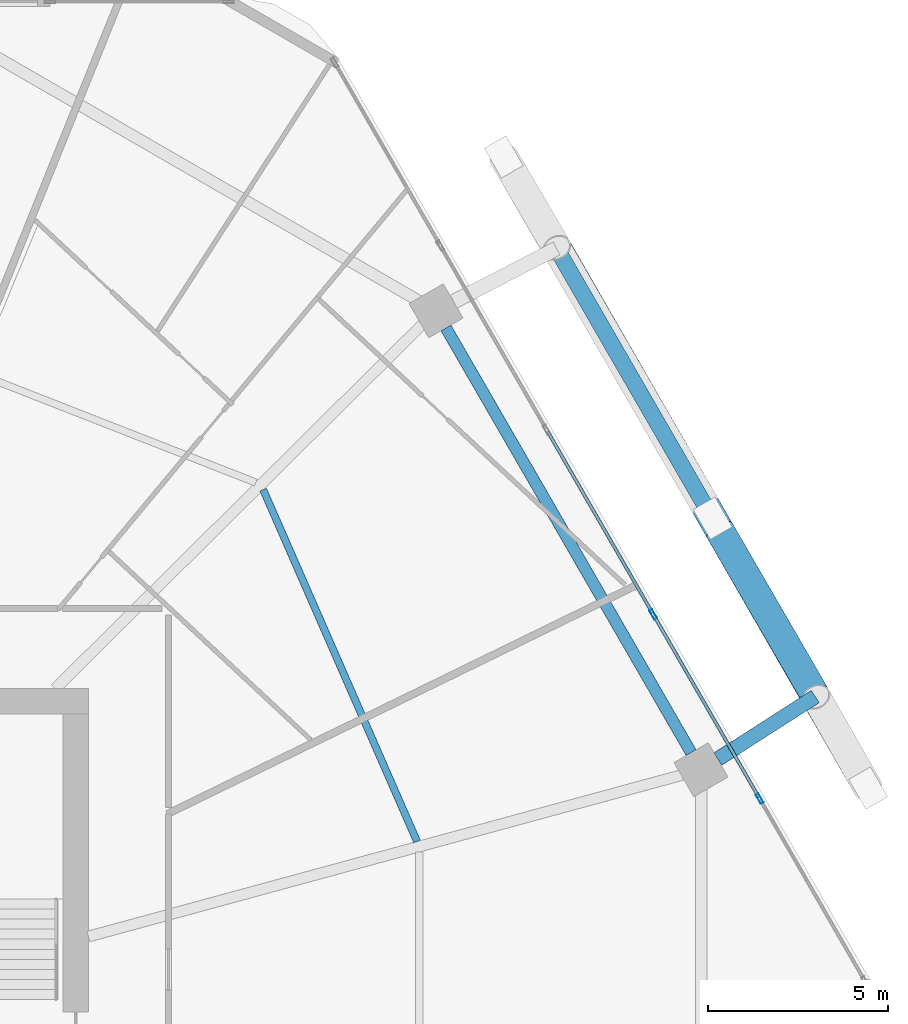
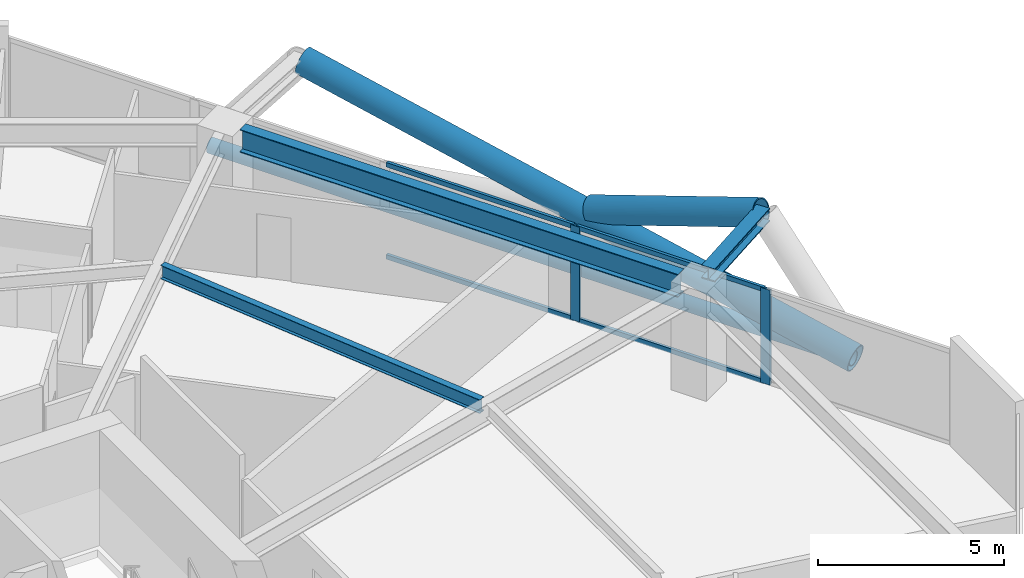
# One storey, part 21 of 35: 9 members, 3 beams, 1 element without a shape of its own.
"""IFC4 building model written with IfcOpenShell, lengths in metres."""

from ifc_helpers import new_model, si_unit, direction, frame, origin, origin_2d, place, context, subcontext, project, spatial, hollow_rectangle, hollow_circle, i_section, extrude, material, material_profile, profile_set, type_object, element, aggregate, save


model = new_model("IFC4")

# Units and contexts
model_context = context("Model", 3, precision=1e-05, world=origin(), true_north=direction((0.0, 1.0)))
body_context = subcontext(model_context, "Body", "Model", "MODEL_VIEW")
ifc_project = project(units=[si_unit("LENGTHUNIT", "METRE"), si_unit("AREAUNIT", "SQUARE_METRE"), si_unit("VOLUMEUNIT", "CUBIC_METRE"), si_unit("PLANEANGLEUNIT", "RADIAN"), si_unit("MASSUNIT", "GRAM", prefix="KILO")], contexts=[model_context])

# Site, building, storey
site_placement = place(None, origin())
site = spatial("IfcSite", under=ifc_project, at=site_placement, CompositionType="ELEMENT")
building_placement = place(site_placement, origin())
building = spatial("IfcBuilding", under=site, at=building_placement, Name="Zuhravey Tower", CompositionType="ELEMENT")
storey_placement = place(building_placement, frame((0.0, 0.0, 138.0)))
storey = spatial("IfcBuildingStorey", under=building, at=storey_placement, Name="L34", CompositionType="ELEMENT", Elevation=138.0)

# Curtain wall, members
ifc_material_1 = material(Name="Thermally broken anodised aluminium", Category="aluminium")
curtain_wall_type = type_object("IfcCurtainWallType", Name="Zone 1-2 Residential Curtain Wall CW3", PredefinedType="NOTDEFINED", material=ifc_material_1)
curtain_wall_placement = place(storey_placement, origin())
curtain_wall = element("IfcCurtainWall", 1, at=curtain_wall_placement, inside=storey, type_object=curtain_wall_type, Name="L34 CW3 CW-L34-F1-1", PredefinedType="NOTDEFINED")
ifc_material_2 = material(Name="Anodised aluminium", Category="aluminium")
ifc_material_profile_1 = material_profile(ifc_material_2, hollow_rectangle(XDim=0.090087890625, YDim=0.284912109375, WallThickness=0.0048828125, at=origin_2d()), Name="ALU-RHS-90x285x5")
ifc_profile_set_1 = profile_set([ifc_material_profile_1], Name="Anodised aluminium")
member_type_1 = type_object("IfcMemberType", Name="Curtain-Wall Mullion 90x180", PredefinedType="MULLION", material=ifc_profile_set_1)
member_1_placement = place(storey_placement, frame((62.55859375, 43.916015625, 0.0), z_axis=(0.0, 0.0, 1.0), x_axis=(0.86602552265, 0.499999794119, 0.0)))
member_1 = element("IfcMember", 2, at=member_1_placement, type_object=member_type_1, Name="CW3 mullion 4", PredefinedType="MULLION", context=body_context, shape_type="SweptSolid", body=[
    extrude(hollow_rectangle(XDim=0.090087890625, YDim=0.284912109375, WallThickness=0.0048828125, at=origin_2d()), origin(), (0.0, 0.0, 1.0), 3.1220703125),
])
member_2_placement = place(storey_placement, frame((65.5185546875, 38.789306640625, 0.0), z_axis=(0.0, 0.0, 1.0), x_axis=(0.86602552265, 0.499999794119, 0.0)))
member_2 = element("IfcMember", 3, at=member_2_placement, type_object=member_type_1, Name="CW3 mullion 5", PredefinedType="MULLION", context=body_context, shape_type="SweptSolid", body=[
    extrude(hollow_rectangle(XDim=0.090087890625, YDim=0.284912109375, WallThickness=0.0048828125, at=origin_2d()), origin(), (0.0, 0.0, 1.0), 3.1220703125),
])
ifc_material_profile_2 = material_profile(ifc_material_2, hollow_rectangle(XDim=0.090087890625, YDim=0.14990234375, WallThickness=0.0048828125, at=origin_2d()), Name="ALU-RHS-90x150x5")
ifc_profile_set_2 = profile_set([ifc_material_profile_2], Name="Anodised aluminium")
member_type_2 = type_object("IfcMemberType", Name="Curtain-Wall Transom 90x150", PredefinedType="USERDEFINED", material=ifc_profile_set_2)
member_3_placement = place(storey_placement, frame((59.621337890625, 49.003662109375, 0.044921875), z_axis=(0.499981042766, -0.866036348472, 0.0), x_axis=(0.866036348472, 0.499981042766, 0.0)))
member_3 = element("IfcMember", 4, at=member_3_placement, type_object=member_type_2, Name="CW3 transom 3.1", ObjectType="TRANSOM", PredefinedType="USERDEFINED", context=body_context, shape_type="SweptSolid", body=[
    extrude(hollow_rectangle(XDim=0.090087890625, YDim=0.14990234375, WallThickness=0.0048828125, at=origin_2d()), origin(), (0.0, 0.0, 1.0), 5.829833984375),
])
member_4_placement = place(storey_placement, frame((59.621337890625, 49.003662109375, 3.076904296875), z_axis=(0.499981042766, -0.866036348472, 0.0), x_axis=(0.866036348472, 0.499981042766, 0.0)))
member_4 = element("IfcMember", 5, at=member_4_placement, type_object=member_type_2, Name="CW3 transom 3.2", ObjectType="TRANSOM", PredefinedType="USERDEFINED", context=body_context, shape_type="SweptSolid", body=[
    extrude(hollow_rectangle(XDim=0.090087890625, YDim=0.14990234375, WallThickness=0.0048828125, at=origin_2d()), origin(), (0.0, 0.0, 1.0), 5.829833984375),
])
member_5_placement = place(storey_placement, frame((62.581298828125, 43.876953125, 0.044921875), z_axis=(0.499981042766, -0.866036348472, 0.0), x_axis=(0.866036348472, 0.499981042766, 0.0)))
member_5 = element("IfcMember", 6, at=member_5_placement, type_object=member_type_2, Name="CW3 transom 4.1", ObjectType="TRANSOM", PredefinedType="USERDEFINED", context=body_context, shape_type="SweptSolid", body=[
    extrude(hollow_rectangle(XDim=0.090087890625, YDim=0.14990234375, WallThickness=0.0048828125, at=origin_2d()), origin(), (0.0, 0.0, 1.0), 5.829833984375),
])
member_6_placement = place(storey_placement, frame((62.581298828125, 43.876953125, 3.076904296875), z_axis=(0.499981042766, -0.866036348472, 0.0), x_axis=(0.866036348472, 0.499981042766, 0.0)))
member_6 = element("IfcMember", 7, at=member_6_placement, type_object=member_type_2, Name="CW3 transom 4.2", ObjectType="TRANSOM", PredefinedType="USERDEFINED", context=body_context, shape_type="SweptSolid", body=[
    extrude(hollow_rectangle(XDim=0.090087890625, YDim=0.14990234375, WallThickness=0.0048828125, at=origin_2d()), origin(), (0.0, 0.0, 1.0), 5.829833984375),
])
aggregate(curtain_wall, [member_1, member_2, member_3, member_4, member_5, member_6])

# Beam
ifc_material_3 = material(Name="Steel SM460", Category="steel")
ifc_material_profile_3 = material_profile(ifc_material_3, i_section(OverallWidth=0.406982421875, OverallDepth=0.427978515625, WebThickness=0.02001953125, FlangeThickness=0.034912109375, at=origin_2d()), Name="H-428x407x20x35")
ifc_profile_set_3 = profile_set([ifc_material_profile_3], Name="Steel SM460")
beam_type_1 = type_object("IfcBeamType", Name="Exoskeleton Node Tie Beam H428x407", PredefinedType="BEAM", material=ifc_profile_set_3)
beam_1_placement = place(storey_placement, frame((64.35595703125, 39.890869140625, 3.3359375), z_axis=(0.841811109623, 0.539772225772, 0.0), x_axis=(-0.539772225772, 0.841811109623, 0.0)))
element("IfcBeam", 8, at=beam_1_placement, inside=storey, type_object=beam_type_1, Name="L34 Exoskeleton Node Tie NT1-01", PredefinedType="BEAM", context=body_context, shape_type="SweptSolid", body=[
    extrude(i_section(OverallWidth=0.406982421875, OverallDepth=0.427978515625, WebThickness=0.02001953125, FlangeThickness=0.034912109375, at=origin_2d()), origin(), (0.0, 0.0, 1.0), 3.219482421875),
])

# Members
ifc_material_4 = material(Name="Steel SM355", Category="steel")
ifc_material_profile_4 = material_profile(ifc_material_4, hollow_circle(Radius=0.228515625, WallThickness=0.02197265625, at=origin_2d()), Name="CHS-457.2x22")
ifc_profile_set_4 = profile_set([ifc_material_profile_4], Name="Steel SM355")
member_type_3 = type_object("IfcMemberType", Name="Exoskeleton Ring Tie CHS457x22", PredefinedType="CHORD", material=ifc_profile_set_4)
member_7_placement = place(storey_placement, frame((68.46728515625, 39.20166015625, -0.464111328125), z_axis=(-0.499987058157, 0.866032875632, 0.0), x_axis=(-0.866032875632, -0.499987058157, 0.0)))
element("IfcMember", 9, at=member_7_placement, inside=storey, type_object=member_type_3, Name="L34 Exoskeleton Face 1 Tie EXR1", PredefinedType="CHORD", context=body_context, shape_type="SweptSolid", body=[
    extrude(hollow_circle(Radius=0.228515625, WallThickness=0.02197265625, at=origin_2d()), origin(), (0.0, 0.0, 1.0), 19.99365234375),
])
ifc_material_profile_5 = material_profile(ifc_material_3, hollow_circle(Radius=0.406494140625, WallThickness=0.035888671875, at=origin_2d()), Name="CHS-812.8x36")
ifc_profile_set_5 = profile_set([ifc_material_profile_5], Name="Steel SM460")
member_type_4 = type_object("IfcMemberType", Name="Exoskeleton Zone 1 Diagrid CHS813x36", PredefinedType="BRACE", material=ifc_profile_set_5)
member_8_placement = place(storey_placement, frame((68.501708984375, 39.142578125, -0.4482421875), z_axis=(-0.487666777929, 0.846350986432, 0.214175445532), x_axis=(-0.866456939418, -0.49925181235, 0.0)))
element("IfcMember", 10, at=member_8_placement, inside=storey, type_object=member_type_4, Name="L34 Face 1 Diagrid Brace 2", PredefinedType="BRACE", context=body_context, shape_type="SweptSolid", body=[
    extrude(hollow_circle(Radius=0.406494140625, WallThickness=0.035888671875, at=origin_2d()), origin(), (0.0, 0.0, 1.0), 17.595703125),
])
member_9_placement = place(storey_placement, frame((64.39990234375, 46.262939453125, 1.56103515625), z_axis=(0.475591068526, -0.821283856286, 0.315128486403), x_axis=(0.865375593249, 0.501123819639, 0.0)))
element("IfcMember", 11, at=member_9_placement, inside=storey, type_object=member_type_4, Name="L34 Face 1 Split Diagrid Brace 3B", PredefinedType="BRACE", context=body_context, shape_type="SweptSolid", body=[
    extrude(hollow_circle(Radius=0.406494140625, WallThickness=0.035888671875, at=origin_2d()), origin(), (0.0, 0.0, 1.0), 5.5595703125),
])

# Beams
ifc_material_profile_6 = material_profile(ifc_material_4, i_section(OverallWidth=0.320068359375, OverallDepth=0.75, WebThickness=0.013916015625, FlangeThickness=0.02490234375, at=origin_2d()), Name="H-750x320x14x25")
ifc_profile_set_6 = profile_set([ifc_material_profile_6], Name="Steel SM355")
beam_type_2 = type_object("IfcBeamType", Name="Perimeter Ring Beam H750x320", PredefinedType="BEAM", material=ifc_profile_set_6)
beam_2_placement = place(storey_placement, frame((63.612548828125, 40.070556640625, 3.175048828125), z_axis=(-0.500008177929, 0.866020682204, 0.0), x_axis=(-0.866020682204, -0.500008177929, 0.0)))
element("IfcBeam", 12, at=beam_2_placement, inside=storey, type_object=beam_type_2, Name="L34 PB1 BM-L34-PB-01", PredefinedType="BEAM", context=body_context, shape_type="SweptSolid", body=[
    extrude(i_section(OverallWidth=0.320068359375, OverallDepth=0.75, WebThickness=0.013916015625, FlangeThickness=0.02490234375, at=origin_2d()), origin(), (0.0, 0.0, 1.0), 13.634033203125),
])
ifc_material_profile_7 = material_profile(ifc_material_4, i_section(OverallWidth=0.199951171875, OverallDepth=0.449951171875, WebThickness=0.009033203125, FlangeThickness=0.013916015625, at=origin_2d()), Name="H-450x200x9x14")
ifc_profile_set_7 = profile_set([ifc_material_profile_7], Name="Steel SM355")
beam_type_3 = type_object("IfcBeamType", Name="Secondary Floor Joist H450x200", PredefinedType="JOIST", material=ifc_profile_set_7)
beam_3_placement = place(storey_placement, frame((55.99072265625, 37.599609375, 3.324951171875), z_axis=(-0.400786454617, 0.916171500209, 0.0), x_axis=(-0.916171500209, -0.400786454617, 0.0)))
element("IfcBeam", 13, at=beam_3_placement, inside=storey, type_object=beam_type_3, Name="L34 SJ1 BM-L34-SJ-01-1", PredefinedType="JOIST", context=body_context, shape_type="SweptSolid", body=[
    extrude(i_section(OverallWidth=0.199951171875, OverallDepth=0.449951171875, WebThickness=0.009033203125, FlangeThickness=0.013916015625, at=origin_2d()), origin(), (0.0, 0.0, 1.0), 10.6796875),
])

save(model, "model.ifc")
